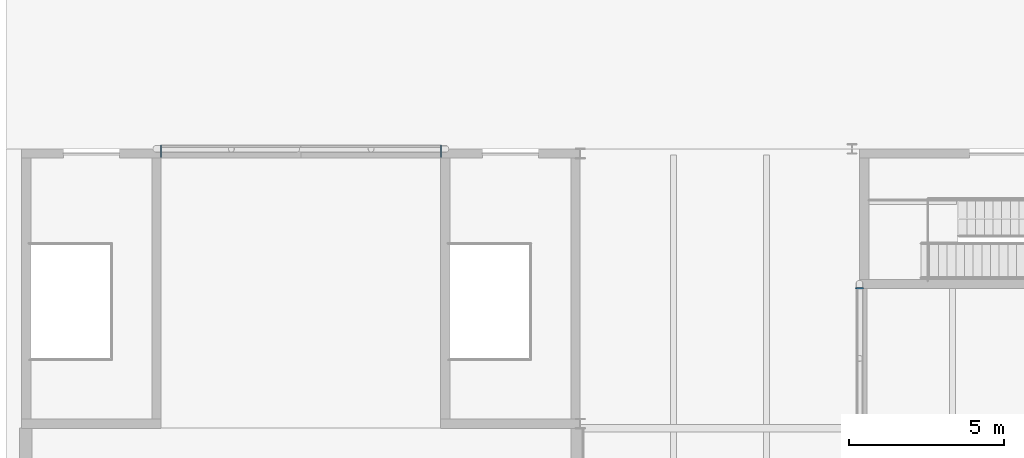
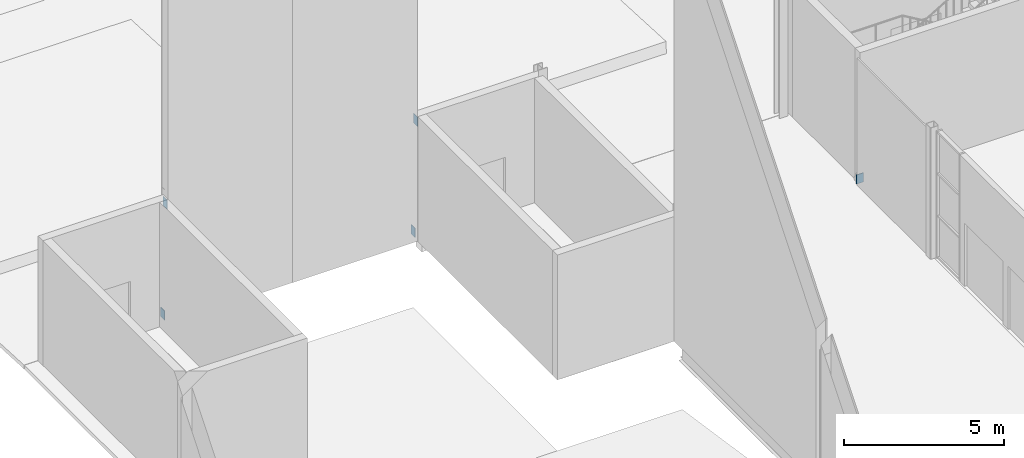
# One storey, part 45 of 63: 5 discrete accessories.
"""IFC4 building model written with IfcOpenShell, lengths in metres."""

from ifc_helpers import new_model, si_unit, direction, frame, origin, origin_2d, place, context, subcontext, project, spatial, rectangle, extrude, element, save


model = new_model("IFC4")

# Units and contexts
model_context = context("Model", 3, precision=1e-05, world=origin(), true_north=direction((0.0, 1.0)))
body_context = subcontext(model_context, "Body", "Model", "MODEL_VIEW")
ifc_project = project(units=[si_unit("LENGTHUNIT", "METRE"), si_unit("AREAUNIT", "SQUARE_METRE"), si_unit("VOLUMEUNIT", "CUBIC_METRE"), si_unit("PLANEANGLEUNIT", "RADIAN"), si_unit("MASSUNIT", "GRAM", prefix="KILO")], contexts=[model_context])

# Site, building, storey
site_placement = place(None, origin())
site = spatial("IfcSite", under=ifc_project, at=site_placement, CompositionType="ELEMENT")
building_placement = place(site_placement, origin())
building = spatial("IfcBuilding", under=site, at=building_placement, Name="Halyard Row Museum", CompositionType="ELEMENT")
storey_placement = place(building_placement, origin())
storey = spatial("IfcBuildingStorey", under=building, at=storey_placement, Name="L00", CompositionType="ELEMENT", Elevation=0.0)

# Discrete accessories
for number, where, z_axis, x_axis, name in (
    (1, (27.0, 40.5, 0.215087890625), (0.0, 1.0, 0.0), (-1.0, 0.0, 0.0), "Brace L00 X27 36-40.5 B cast-in plate"),
    (2, (4.5, 45.0, 0.215087890625), (-1.0, 0.0, 0.0), (0.0, -1.0, 0.0), "Brace L00 Y45 4.5-9.0222 A cast-in plate"),
    (3, (13.5, 45.0, 0.215087890625), (1.0, 0.0, 0.0), (0.0, 1.0, 0.0), "Brace L00 Y45 9.0222-13.5 B cast-in plate"),
    (4, (4.5, 44.85009765625, 4.534912109375), (-1.0, 0.0, 0.0), (0.0, -1.0, 0.0), "Auditorium girt L00 4.5-9.0222 cast-in plate"),
    (5, (13.5, 44.85009765625, 4.534912109375), (1.0, 0.0, 0.0), (0.0, 1.0, 0.0), "Auditorium girt L00 9.0222-13.5 cast-in plate"),
):
    element("IfcDiscreteAccessory", number, at=place(storey_placement, frame(where, z_axis=z_axis, x_axis=x_axis)), inside=storey, Name=name, PredefinedType="ANCHORPLATE", context=body_context, shape_type="SweptSolid", body=[
        extrude(rectangle(XDim=0.25, YDim=0.35009765625, at=origin_2d()), origin(), (0.0, 0.0, 1.0), 0.02001953125),
    ])

save(model, "model.ifc")
